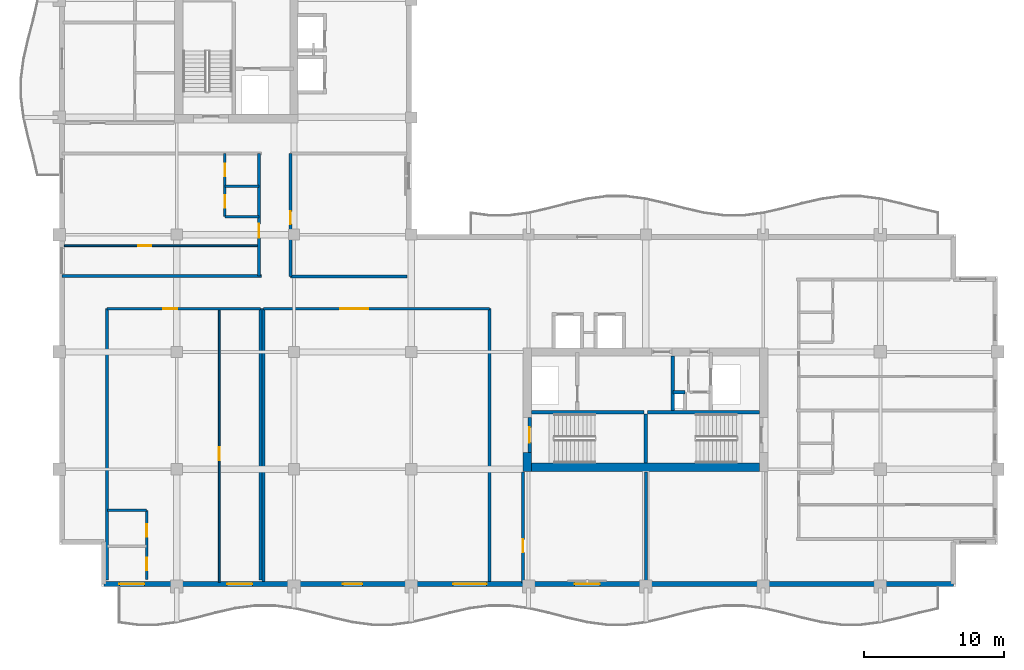
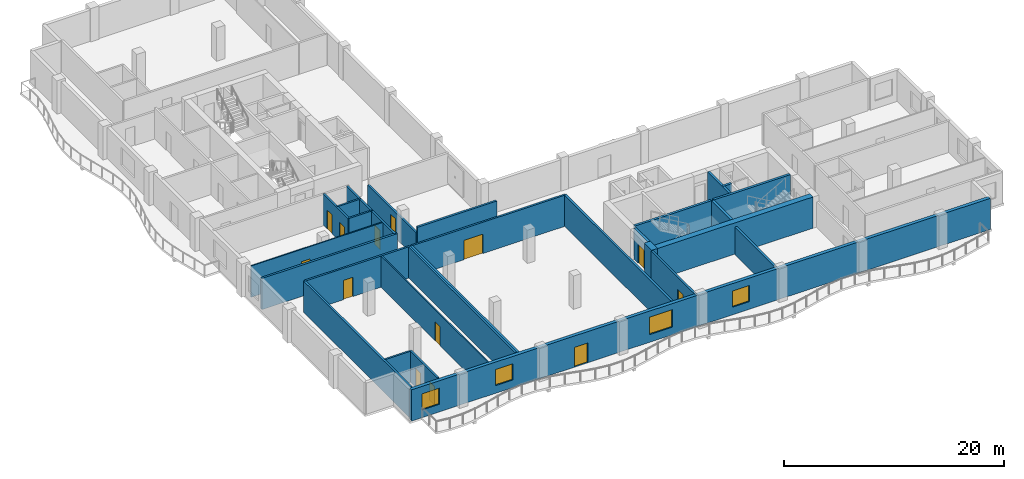
# One storey, part 3 of 12: 28 walls, 13 doors, 4 windows, 17 openings.
"""IFC4 building model written with IfcOpenShell, lengths in metres."""

from ifc_helpers import new_model, si_unit, direction, frame, frame_2d, origin, place, context, subcontext, project, spatial, rectangle, extrude, material, layer, layer_set, type_object, element, fill, save


model = new_model("IFC4")

# Units and contexts
model_context = context("Model", 3, precision=1e-05, world=origin(), true_north=direction((0.0, 1.0)))
body_context = subcontext(model_context, "Body", "Model", "MODEL_VIEW")
ifc_project = project(units=[si_unit("LENGTHUNIT", "METRE"), si_unit("AREAUNIT", "SQUARE_METRE"), si_unit("VOLUMEUNIT", "CUBIC_METRE"), si_unit("PLANEANGLEUNIT", "RADIAN"), si_unit("MASSUNIT", "GRAM", prefix="KILO")], contexts=[model_context])

# Site, building, storey
site_placement = place(None, origin())
site = spatial("IfcSite", under=ifc_project, at=site_placement, CompositionType="ELEMENT")
building_placement = place(site_placement, origin())
building = spatial("IfcBuilding", under=site, at=building_placement, Name="Koriwani Terraces Tower", CompositionType="ELEMENT")
storey_placement = place(building_placement, frame((0.0, 0.0, 271.199951171875)))
storey = spatial("IfcBuildingStorey", under=building, at=storey_placement, Name="L67", CompositionType="ELEMENT", Elevation=271.199951171875)

# Walls
ifc_material_1 = material(Name="Concrete C60/75", Category="concrete")
ifc_layer_1 = layer(ifc_material_1, 0.60009765625, Name="Concrete C60/75")
ifc_layer_set_1 = layer_set([ifc_layer_1], Name="Concrete C60/75")
wall_type_1 = type_object("IfcWallType", Name="WALL_CORE_RC_600", PredefinedType="SHEAR", material=ifc_layer_set_1)
wall_1_placement = place(storey_placement, frame((41.89990234375, 16.64990234375, 0.0), z_axis=(0.0, 0.0, 1.0), x_axis=(0.0, 1.0, 0.0)))
element("IfcWall", 1, at=wall_1_placement, inside=storey, type_object=wall_type_1, Name="L67 East Split Core Shear Wall W1", PredefinedType="SHEAR", context=body_context, shape_type="SweptSolid", body=[
    extrude(rectangle(XDim=1.35009765625, YDim=0.60009765625, at=frame_2d((0.675048828125, 0.0))), origin(), (0.0, 0.0, 1.0), 3.469970703125),
])
wall_2_placement = place(storey_placement, frame((42.199951171875, 16.949951171875, 0.0), z_axis=(0.0, 0.0, 1.0), x_axis=(1.0, 0.0, 0.0)))
element("IfcWall", 2, at=wall_2_placement, inside=storey, type_object=wall_type_1, Name="L67 East Split Core Shear Wall S1", PredefinedType="SHEAR", context=body_context, shape_type="SweptSolid", body=[
    extrude(rectangle(XDim=16.35009765625, YDim=0.60009765625, at=frame_2d((8.175048828125, 0.0))), origin(), (0.0, 0.0, 1.0), 3.469970703125),
])

# Wall, opening, door
ifc_material_2 = material(Name="Autoclaved Cellular Concrete Blockwork", Category="masonry")
ifc_layer_2 = layer(ifc_material_2, 0.199951171875, Name="Autoclaved Cellular Concrete Blockwork")
ifc_layer_set_2 = layer_set([ifc_layer_2], Name="Autoclaved Cellular Concrete Blockwork")
wall_type_2 = type_object("IfcWallType", Name="WALL_CORRIDOR_200", PredefinedType="PARTITIONING", material=ifc_layer_set_2)
wall_3_placement = place(storey_placement, frame((24.949951171875, 30.60009765625, 0.0), z_axis=(0.0, 0.0, 1.0), x_axis=(0.0, 1.0, 0.0)))
wall_3 = element("IfcWall", 3, at=wall_3_placement, inside=storey, type_object=wall_type_2, Name="L67 Interior Wall WIC4W-L67", PredefinedType="PARTITIONING", context=body_context, shape_type="SweptSolid", body=[
    extrude(rectangle(XDim=8.7998046875, YDim=0.199951171875, at=frame_2d((4.39990234375, 0.0))), origin(), (0.0, 0.0, 1.0), 2.820068359375),
])
opening_1_placement = place(wall_3_placement, frame((3.75, 0.0, 0.0)))
opening_1 = element("IfcOpeningElement", 4, at=opening_1_placement, cuts=wall_3, Name="Opening D-06", PredefinedType="OPENING", context=body_context, shape_type="SweptSolid", body=[
    extrude(rectangle(XDim=0.919921875, YDim=2.10009765625, at=frame_2d((0.4599609375, 1.050048828125))), frame((0.0, 0.10986328125, 0.0), z_axis=(0.0, -1.0, 0.0), x_axis=(1.0, 0.0, 0.0)), (0.0, 0.0, 1.0), 0.219970703125),
])
ifc_material_3 = material(Name="Architectural Oak Fire Door", Category="wood")
door_type_1 = type_object("IfcDoorType", Name="DOOR_ROOM_INT_920X2100", OperationType="NOTDEFINED", PredefinedType="DOOR", material=ifc_material_3)
door_1_placement = place(opening_1_placement, origin())
door_1 = element("IfcDoor", 5, at=door_1_placement, inside=storey, type_object=door_type_1, Name="L67 High-Rise Court Study Door", OperationType="SINGLE_SWING_LEFT", OverallHeight=2.10009765625, OverallWidth=0.919921875, PredefinedType="DOOR", context=body_context, shape_type="SweptSolid", body=[
    extrude(rectangle(XDim=0.919921875, YDim=2.10009765625, at=frame_2d((0.4599609375, 1.050048828125))), frame((0.0, 0.02490234375, 0.0), z_axis=(0.0, -1.0, 0.0), x_axis=(1.0, 0.0, 0.0)), (0.0, 0.0, 1.0), 0.050048828125),
])
fill(opening_1, door_1)

wall_4_placement = place(storey_placement, frame((41.60009765625, 8.64990234375, 0.0), z_axis=(0.0, 0.0, 1.0), x_axis=(0.0, 1.0, 0.0)))
wall_4 = element("IfcWall", 6, at=wall_4_placement, inside=storey, type_object=wall_type_2, Name="L67 Interior Wall WRZ4-EW-L67", PredefinedType="PARTITIONING", context=body_context, shape_type="SweptSolid", body=[
    extrude(rectangle(XDim=7.9501953125, YDim=0.199951171875, at=frame_2d((3.97509765625, 0.0))), origin(), (0.0, 0.0, 1.0), 3.469970703125),
])
opening_2_placement = place(wall_4_placement, frame((2.199951171875, 0.0, 0.0)))
opening_2 = element("IfcOpeningElement", 7, at=opening_2_placement, cuts=wall_4, Name="Opening D-06", PredefinedType="OPENING", context=body_context, shape_type="SweptSolid", body=[
    extrude(rectangle(XDim=0.919921875, YDim=2.10009765625, at=frame_2d((0.4599609375, 1.050048828125))), frame((0.0, 0.10986328125, 0.0), z_axis=(0.0, -1.0, 0.0), x_axis=(1.0, 0.0, 0.0)), (0.0, 0.0, 1.0), 0.219970703125),
])
door_2_placement = place(opening_2_placement, origin())
door_2 = element("IfcDoor", 8, at=door_2_placement, inside=storey, type_object=door_type_1, Name="L67 Resident Library Study Door", OperationType="SINGLE_SWING_RIGHT", OverallHeight=2.10009765625, OverallWidth=0.919921875, PredefinedType="DOOR", context=body_context, shape_type="SweptSolid", body=[
    extrude(rectangle(XDim=0.919921875, YDim=2.10009765625, at=frame_2d((0.4599609375, 1.050048828125))), frame((0.0, 0.02490234375, 0.0), z_axis=(0.0, -1.0, 0.0), x_axis=(1.0, 0.0, 0.0)), (0.0, 0.0, 1.0), 0.050048828125),
])
fill(opening_2, door_2)

wall_5_placement = place(storey_placement, frame((11.800048828125, 28.300048828125, 0.0), z_axis=(0.0, 0.0, 1.0), x_axis=(1.0, 0.0, 0.0)))
wall_5 = element("IfcWall", 9, at=wall_5_placement, inside=storey, type_object=wall_type_2, Name="L67 Interior Wall WGB-L67-SPINE-N", PredefinedType="PARTITIONING", context=body_context, shape_type="SweptSolid", body=[
    extrude(rectangle(XDim=11.0, YDim=0.199951171875, at=frame_2d((5.5, 0.0))), origin(), (0.0, 0.0, 1.0), 3.469970703125),
])
opening_3_placement = place(wall_5_placement, frame((4.050048828125, 0.0, 0.0)))
opening_3 = element("IfcOpeningElement", 10, at=opening_3_placement, cuts=wall_5, Name="Opening D-05", PredefinedType="OPENING", context=body_context, shape_type="SweptSolid", body=[
    extrude(rectangle(XDim=1.0, YDim=2.14990234375, at=frame_2d((0.5, 1.074951171875))), frame((0.0, 0.10986328125, 0.0), z_axis=(0.0, -1.0, 0.0), x_axis=(1.0, 0.0, 0.0)), (0.0, 0.0, 1.0), 0.219970703125),
])
door_type_2 = type_object("IfcDoorType", Name="DOOR_SUITE_ENTRY_1000X2150", OperationType="NOTDEFINED", PredefinedType="DOOR", material=ifc_material_3)
door_3_placement = place(opening_3_placement, origin())
door_3 = element("IfcDoor", 11, at=door_3_placement, inside=storey, type_object=door_type_2, Name="Corner Residence 67SP Entrance Door", OperationType="SINGLE_SWING_RIGHT", OverallHeight=2.14990234375, OverallWidth=1.0, PredefinedType="DOOR", context=body_context, shape_type="SweptSolid", body=[
    extrude(rectangle(XDim=1.0, YDim=2.14990234375, at=frame_2d((0.5, 1.074951171875))), frame((0.0, 0.02490234375, 0.0), z_axis=(0.0, -1.0, 0.0), x_axis=(1.0, 0.0, 0.0)), (0.0, 0.0, 1.0), 0.050048828125),
])
fill(opening_3, door_3)

wall_6_placement = place(storey_placement, frame((23.0, 28.300048828125, 0.0), z_axis=(0.0, 0.0, 1.0), x_axis=(1.0, 0.0, 0.0)))
wall_6 = element("IfcWall", 12, at=wall_6_placement, inside=storey, type_object=wall_type_2, Name="L67 Interior Wall WSPCLB-N-L67", PredefinedType="PARTITIONING", context=body_context, shape_type="SweptSolid", body=[
    extrude(rectangle(XDim=16.199951171875, YDim=0.199951171875, at=frame_2d((8.10009765625, 0.0))), origin(), (0.0, 0.0, 1.0), 3.469970703125),
])
opening_4_placement = place(wall_6_placement, frame((5.5, 0.0, 0.0)))
opening_4 = element("IfcOpeningElement", 13, at=opening_4_placement, cuts=wall_6, Name="Opening D-02", PredefinedType="OPENING", context=body_context, shape_type="SweptSolid", body=[
    extrude(rectangle(XDim=2.0, YDim=2.14990234375, at=frame_2d((1.0, 1.074951171875))), frame((0.0, 0.10986328125, 0.0), z_axis=(0.0, -1.0, 0.0), x_axis=(1.0, 0.0, 0.0)), (0.0, 0.0, 1.0), 0.219970703125),
])
ifc_material_4 = material(Name="Anodised Bronze Aluminium", Category="aluminium")
door_type_3 = type_object("IfcDoorType", Name="DOOR_ENTRANCE_DOUBLE_2000X2400", OperationType="NOTDEFINED", PredefinedType="DOOR", material=ifc_material_4)
door_4_placement = place(opening_4_placement, origin())
door_4 = element("IfcDoor", 14, at=door_4_placement, inside=storey, type_object=door_type_3, Name="L67 Sky Screening Salon Door", OperationType="SINGLE_SWING_RIGHT", OverallHeight=2.14990234375, OverallWidth=2.0, PredefinedType="DOOR", context=body_context, shape_type="SweptSolid", body=[
    extrude(rectangle(XDim=2.0, YDim=2.14990234375, at=frame_2d((1.0, 1.074951171875))), frame((0.0, 0.02490234375, 0.0), z_axis=(0.0, -1.0, 0.0), x_axis=(1.0, 0.0, 0.0)), (0.0, 0.0, 1.0), 0.050048828125),
])
fill(opening_4, door_4)

wall_7_placement = place(storey_placement, frame((22.699951171875, 30.64990234375, 0.0), z_axis=(0.0, 0.0, 1.0), x_axis=(0.0, 1.0, 0.0)))
wall_7 = element("IfcWall", 15, at=wall_7_placement, inside=storey, type_object=wall_type_2, Name="L67 Interior Wall WRCOR-L67-NE-0", PredefinedType="PARTITIONING", context=body_context, shape_type="SweptSolid", body=[
    extrude(rectangle(XDim=8.75, YDim=0.199951171875, at=frame_2d((4.375, 0.0))), origin(), (0.0, 0.0, 1.0), 3.469970703125),
])
opening_5_placement = place(wall_7_placement, frame((2.719970703125, 0.0, 0.0)))
opening_5 = element("IfcOpeningElement", 16, at=opening_5_placement, cuts=wall_7, Name="Opening D-05", PredefinedType="OPENING", context=body_context, shape_type="SweptSolid", body=[
    extrude(rectangle(XDim=1.0, YDim=2.14990234375, at=frame_2d((0.5, 1.074951171875))), frame((0.0, 0.10986328125, 0.0), z_axis=(0.0, -1.0, 0.0), x_axis=(1.0, 0.0, 0.0)), (0.0, 0.0, 1.0), 0.219970703125),
])
door_5_placement = place(opening_5_placement, origin())
door_5 = element("IfcDoor", 17, at=door_5_placement, inside=storey, type_object=door_type_2, Name="Apartment 67NE1 Entrance Door", OperationType="SINGLE_SWING_LEFT", OverallHeight=2.14990234375, OverallWidth=1.0, PredefinedType="DOOR", context=body_context, shape_type="SweptSolid", body=[
    extrude(rectangle(XDim=1.0, YDim=2.14990234375, at=frame_2d((0.5, 1.074951171875))), frame((0.0, 0.02490234375, 0.0), z_axis=(0.0, -1.0, 0.0), x_axis=(1.0, 0.0, 0.0)), (0.0, 0.0, 1.0), 0.050048828125),
])
fill(opening_5, door_5)

# Walls
ifc_layer_3 = layer(ifc_material_2, 0.219970703125, Name="Autoclaved Cellular Concrete Blockwork")
ifc_layer_set_3 = layer_set([ifc_layer_3], Name="Autoclaved Cellular Concrete Blockwork")
wall_type_3 = type_object("IfcWallType", Name="WALL_DEMISING_220", PredefinedType="PARTITIONING", material=ifc_layer_set_3)
wall_8_placement = place(storey_placement, frame((24.949951171875, 30.60009765625, 0.0), z_axis=(0.0, 0.0, 1.0), x_axis=(1.0, 0.0, 0.0)))
element("IfcWall", 18, at=wall_8_placement, inside=storey, type_object=wall_type_3, Name="L67 Interior Wall WIC4WS-L67", PredefinedType="PARTITIONING", context=body_context, shape_type="SweptSolid", body=[
    extrude(rectangle(XDim=8.35009765625, YDim=0.219970703125, at=frame_2d((4.175048828125, 0.0))), origin(), (0.0, 0.0, 1.0), 3.469970703125),
])
wall_9_placement = place(storey_placement, frame((50.39990234375, 8.64990234375, 0.0), z_axis=(0.0, 0.0, 1.0), x_axis=(0.0, 1.0, 0.0)))
element("IfcWall", 19, at=wall_9_placement, inside=storey, type_object=wall_type_3, Name="L67 Interior Wall WRZ4-EM-L67", PredefinedType="PARTITIONING", context=body_context, shape_type="SweptSolid", body=[
    extrude(rectangle(XDim=7.9501953125, YDim=0.219970703125, at=frame_2d((3.97509765625, 0.0))), origin(), (0.0, 0.0, 1.0), 3.052978515625),
])
for number, where, z_axis, x_axis, name in (
    (20, (22.800048828125, 8.85009765625, 0.0), (0.0, 0.0, 1.0), (0.0, 1.0, 0.0), "L67 Interior Wall WGB-L67-SPINE-E"),
    (21, (11.800048828125, 8.85009765625, 0.0), (0.0, 0.0, 1.0), (0.0, 1.0, 0.0), "L67 Interior Wall WGB-L67-SPINE-W"),
):
    element("IfcWall", number, at=place(storey_placement, frame(where, z_axis=z_axis, x_axis=x_axis)), inside=storey, type_object=wall_type_3, Name=name, PredefinedType="PARTITIONING", context=body_context, shape_type="SweptSolid", body=[
        extrude(rectangle(XDim=19.449951171875, YDim=0.219970703125, at=frame_2d((9.72509765625, 0.0))), origin(), (0.0, 0.0, 1.0), 3.469970703125),
    ])
for number, where, z_axis, x_axis, name in (
    (22, (23.0, 8.75, 0.0), (0.0, 0.0, 1.0), (0.0, 1.0, 0.0), "L67 Interior Wall WSPCLB-W-L67"),
    (23, (39.199951171875, 8.75, 0.0), (0.0, 0.0, 1.0), (0.0, 1.0, 0.0), "L67 Interior Wall WSPCLB-E-L67"),
):
    element("IfcWall", number, at=place(storey_placement, frame(where, z_axis=z_axis, x_axis=x_axis)), inside=storey, type_object=wall_type_3, Name=name, PredefinedType="PARTITIONING", context=body_context, shape_type="SweptSolid", body=[
        extrude(rectangle(XDim=19.550048828125, YDim=0.219970703125, at=frame_2d((9.77490234375, 0.0))), origin(), (0.0, 0.0, 1.0), 3.469970703125),
    ])
wall_10_placement = place(storey_placement, frame((8.60009765625, 30.64990234375, 0.0), z_axis=(0.0, 0.0, 1.0), x_axis=(1.0, 0.0, 0.0)))
element("IfcWall", 24, at=wall_10_placement, inside=storey, type_object=wall_type_3, Name="L67 Interior Wall WRDEM-L67-NE-0", PredefinedType="PARTITIONING", context=body_context, shape_type="SweptSolid", body=[
    extrude(rectangle(XDim=14.27978515625, YDim=0.219970703125, at=frame_2d((7.139892578125, 0.0))), origin(), (0.0, 0.0, 1.0), 3.469970703125),
])

# Wall, openings, door, windows
ifc_material_5 = material(Name="Concrete C50/60", Category="concrete")
ifc_layer_4 = layer(ifc_material_5, 0.35009765625, Name="Concrete C50/60")
ifc_layer_set_4 = layer_set([ifc_layer_4], Name="Concrete C50/60")
wall_type_4 = type_object("IfcWallType", Name="WALL_EXT_BRUTALIST_350", PredefinedType="STANDARD", material=ifc_layer_set_4)
wall_11_placement = place(storey_placement, frame((72.425048828125, 8.574951171875, 0.0), z_axis=(0.0, 0.0, 1.0), x_axis=(-1.0, 0.0, 0.0)))
wall_11 = element("IfcWall", 25, at=wall_11_placement, inside=storey, type_object=wall_type_4, Name="L67 Fair-Faced Brutalist Exterior Wall (S)", PredefinedType="STANDARD", context=body_context, shape_type="SweptSolid", body=[
    extrude(rectangle(XDim=60.85009765625, YDim=0.35009765625, at=frame_2d((30.425048828125, 0.0))), origin(), (0.0, 0.0, 1.0), 3.469970703125),
])
opening_6_placement = place(wall_11_placement, frame((42.324951171875, 0.0, 0.0)))
opening_6 = element("IfcOpeningElement", 26, at=opening_6_placement, cuts=wall_11, Name="Opening D-09", PredefinedType="OPENING", context=body_context, shape_type="SweptSolid", body=[
    extrude(rectangle(XDim=1.39990234375, YDim=2.199951171875, at=frame_2d((0.699951171875, 1.10009765625))), frame((0.0, 0.18505859375, 0.0), z_axis=(0.0, -1.0, 0.0), x_axis=(1.0, 0.0, 0.0)), (0.0, 0.0, 1.0), 0.3701171875),
])
opening_7_placement = place(wall_11_placement, frame((33.425048828125, 0.0, 0.85009765625)))
opening_7 = element("IfcOpeningElement", 27, at=opening_7_placement, cuts=wall_11, Name="Opening W-03", PredefinedType="OPENING", context=body_context, shape_type="SweptSolid", body=[
    extrude(rectangle(XDim=2.39990234375, YDim=1.949951171875, at=frame_2d((1.199951171875, 0.97509765625))), frame((0.0, 0.18505859375, 0.0), z_axis=(0.0, -1.0, 0.0), x_axis=(1.0, 0.0, 0.0)), (0.0, 0.0, 1.0), 0.3701171875),
])
opening_8_placement = place(wall_11_placement, frame((25.324951171875, 0.0, 0.85009765625)))
opening_8 = element("IfcOpeningElement", 28, at=opening_8_placement, cuts=wall_11, Name="Opening W-04", PredefinedType="OPENING", context=body_context, shape_type="SweptSolid", body=[
    extrude(rectangle(XDim=1.800048828125, YDim=1.800048828125, at=frame_2d((0.89990234375, 0.89990234375))), frame((0.0, 0.18505859375, 0.0), z_axis=(0.0, -1.0, 0.0), x_axis=(1.0, 0.0, 0.0)), (0.0, 0.0, 1.0), 0.3701171875),
])
opening_9_placement = place(wall_11_placement, frame((50.215087890625, 0.0, 0.85009765625)))
opening_9 = element("IfcOpeningElement", 29, at=opening_9_placement, cuts=wall_11, Name="Opening W-04", PredefinedType="OPENING", context=body_context, shape_type="SweptSolid", body=[
    extrude(rectangle(XDim=1.800048828125, YDim=1.800048828125, at=frame_2d((0.89990234375, 0.89990234375))), frame((0.0, 0.18505859375, 0.0), z_axis=(0.0, -1.0, 0.0), x_axis=(1.0, 0.0, 0.0)), (0.0, 0.0, 1.0), 0.3701171875),
])
opening_10_placement = place(wall_11_placement, frame((57.93505859375, 0.0, 0.85009765625)))
opening_10 = element("IfcOpeningElement", 30, at=opening_10_placement, cuts=wall_11, Name="Opening W-04", PredefinedType="OPENING", context=body_context, shape_type="SweptSolid", body=[
    extrude(rectangle(XDim=1.800048828125, YDim=1.800048828125, at=frame_2d((0.89990234375, 0.89990234375))), frame((0.0, 0.18505859375, 0.0), z_axis=(0.0, -1.0, 0.0), x_axis=(1.0, 0.0, 0.0)), (0.0, 0.0, 1.0), 0.3701171875),
])
door_type_4 = type_object("IfcDoorType", Name="DOOR_BALCONY_GLAZED_1400X2200", OperationType="NOTDEFINED", PredefinedType="DOOR", material=ifc_material_4)
door_6_placement = place(opening_6_placement, origin())
door_6 = element("IfcDoor", 31, at=door_6_placement, inside=storey, type_object=door_type_4, Name="L67 South Balcony Glazed Door", OperationType="SINGLE_SWING_LEFT", OverallHeight=2.199951171875, OverallWidth=1.39990234375, PredefinedType="DOOR", context=body_context, shape_type="SweptSolid", body=[
    extrude(rectangle(XDim=1.39990234375, YDim=2.199951171875, at=frame_2d((0.699951171875, 1.10009765625))), frame((0.0, 0.02490234375, 0.0), z_axis=(0.0, -1.0, 0.0), x_axis=(1.0, 0.0, 0.0)), (0.0, 0.0, 1.0), 0.050048828125),
])
fill(opening_6, door_6)
ifc_material_6 = material(Name="Tempered Laminated Low-E Glass", Category="glass")
window_type_1 = type_object("IfcWindowType", Name="WIN_RES_BED_1800X1800", PartitioningType="DOUBLE_PANEL_VERTICAL", PredefinedType="WINDOW", material=ifc_material_6)
window_1_placement = place(opening_8_placement, origin())
window_1 = element("IfcWindow", 32, at=window_1_placement, inside=storey, type_object=window_type_1, Name="L67 Exterior Window (S-12)", OverallHeight=1.800048828125, OverallWidth=1.800048828125, PartitioningType="SINGLE_PANEL", PredefinedType="WINDOW", context=body_context, shape_type="SweptSolid", body=[
    extrude(rectangle(XDim=1.800048828125, YDim=1.800048828125, at=frame_2d((0.89990234375, 0.89990234375))), frame((0.0, 0.030029296875, 0.0), z_axis=(0.0, -1.0, 0.0), x_axis=(1.0, 0.0, 0.0)), (0.0, 0.0, 1.0), 0.06005859375),
])
fill(opening_8, window_1)
window_2_placement = place(opening_9_placement, origin())
window_2 = element("IfcWindow", 33, at=window_2_placement, inside=storey, type_object=window_type_1, Name="L67 Exterior Window (S-R34)", OverallHeight=1.800048828125, OverallWidth=1.800048828125, PartitioningType="SINGLE_PANEL", PredefinedType="WINDOW", context=body_context, shape_type="SweptSolid", body=[
    extrude(rectangle(XDim=1.800048828125, YDim=1.800048828125, at=frame_2d((0.89990234375, 0.89990234375))), frame((0.0, 0.030029296875, 0.0), z_axis=(0.0, -1.0, 0.0), x_axis=(1.0, 0.0, 0.0)), (0.0, 0.0, 1.0), 0.06005859375),
])
fill(opening_9, window_2)
window_3_placement = place(opening_10_placement, origin())
window_3 = element("IfcWindow", 34, at=window_3_placement, inside=storey, type_object=window_type_1, Name="L67 Exterior Window (S-R35)", OverallHeight=1.800048828125, OverallWidth=1.800048828125, PartitioningType="SINGLE_PANEL", PredefinedType="WINDOW", context=body_context, shape_type="SweptSolid", body=[
    extrude(rectangle(XDim=1.800048828125, YDim=1.800048828125, at=frame_2d((0.89990234375, 0.89990234375))), frame((0.0, 0.030029296875, 0.0), z_axis=(0.0, -1.0, 0.0), x_axis=(1.0, 0.0, 0.0)), (0.0, 0.0, 1.0), 0.06005859375),
])
fill(opening_10, window_3)
window_type_2 = type_object("IfcWindowType", Name="WIN_RES_LIVING_2400X1950", PartitioningType="DOUBLE_PANEL_VERTICAL", PredefinedType="WINDOW", material=ifc_material_6)
window_4_placement = place(opening_7_placement, origin())
window_4 = element("IfcWindow", 35, at=window_4_placement, inside=storey, type_object=window_type_2, Name="L67 Exterior Window (S-9)", OverallHeight=1.949951171875, OverallWidth=2.39990234375, PartitioningType="SINGLE_PANEL", PredefinedType="WINDOW", context=body_context, shape_type="SweptSolid", body=[
    extrude(rectangle(XDim=2.39990234375, YDim=1.949951171875, at=frame_2d((1.199951171875, 0.97509765625))), frame((0.0, 0.030029296875, 0.0), z_axis=(0.0, -1.0, 0.0), x_axis=(1.0, 0.0, 0.0)), (0.0, 0.0, 1.0), 0.06005859375),
])
fill(opening_7, window_4)

# Wall, opening, door
ifc_material_7 = material(Name="Fire-Rated Acoustic Gypsum Partition", Category="masonry")
ifc_layer_5 = layer(ifc_material_7, 0.125, Name="Fire-Rated Acoustic Gypsum Partition")
ifc_layer_set_5 = layer_set([ifc_layer_5], Name="Fire-Rated Acoustic Gypsum Partition")
wall_type_5 = type_object("IfcWallType", Name="WALL_INT_125", PredefinedType="PARTITIONING", material=ifc_layer_set_5)
wall_12_placement = place(storey_placement, frame((19.85009765625, 8.699951171875, 0.0), z_axis=(0.0, 0.0, 1.0), x_axis=(0.0, 1.0, 0.0)))
wall_12 = element("IfcWall", 36, at=wall_12_placement, inside=storey, type_object=wall_type_5, Name="L67 Interior Wall WGB-L67-SPINE-BD", PredefinedType="PARTITIONING", context=body_context, shape_type="SweptSolid", body=[
    extrude(rectangle(XDim=19.650146484375, YDim=0.125, at=frame_2d((9.8251953125, 0.0))), origin(), (0.0, 0.0, 1.0), 3.469970703125),
])
opening_11_placement = place(wall_12_placement, frame((8.751953125, 0.0, 0.0)))
opening_11 = element("IfcOpeningElement", 37, at=opening_11_placement, cuts=wall_12, Name="Opening D-06", PredefinedType="OPENING", context=body_context, shape_type="SweptSolid", body=[
    extrude(rectangle(XDim=0.919921875, YDim=2.10009765625, at=frame_2d((0.4599609375, 1.050048828125))), frame((0.0, 0.072509765625, 0.0), z_axis=(0.0, -1.0, 0.0), x_axis=(1.0, 0.0, 0.0)), (0.0, 0.0, 1.0), 0.14501953125),
])
door_7_placement = place(opening_11_placement, origin())
door_7 = element("IfcDoor", 38, at=door_7_placement, inside=storey, type_object=door_type_1, Name="Corner Residence 67SP Master Suite Door", OperationType="SINGLE_SWING_LEFT", OverallHeight=2.10009765625, OverallWidth=0.919921875, PredefinedType="DOOR", context=body_context, shape_type="SweptSolid", body=[
    extrude(rectangle(XDim=0.919921875, YDim=2.10009765625, at=frame_2d((0.4599609375, 1.050048828125))), frame((0.0, 0.02490234375, 0.0), z_axis=(0.0, -1.0, 0.0), x_axis=(1.0, 0.0, 0.0)), (0.0, 0.0, 1.0), 0.050048828125),
])
fill(opening_11, door_7)

wall_13_placement = place(storey_placement, frame((8.75, 32.800048828125, 0.0), z_axis=(0.0, 0.0, 1.0), x_axis=(1.0, 0.0, 0.0)))
wall_13 = element("IfcWall", 39, at=wall_13_placement, inside=storey, type_object=wall_type_5, Name="L67 Interior Wall WRBED1-L67-NE-0", PredefinedType="PARTITIONING", context=body_context, shape_type="SweptSolid", body=[
    extrude(rectangle(XDim=13.949951171875, YDim=0.125, at=frame_2d((6.97509765625, 0.0))), origin(), (0.0, 0.0, 1.0), 3.469970703125),
])
opening_12_placement = place(wall_13_placement, frame((5.2900390625, 0.0, 0.0)))
opening_12 = element("IfcOpeningElement", 40, at=opening_12_placement, cuts=wall_13, Name="Opening D-06", PredefinedType="OPENING", context=body_context, shape_type="SweptSolid", body=[
    extrude(rectangle(XDim=0.919921875, YDim=2.10009765625, at=frame_2d((0.4599609375, 1.050048828125))), frame((0.0, 0.072509765625, 0.0), z_axis=(0.0, -1.0, 0.0), x_axis=(1.0, 0.0, 0.0)), (0.0, 0.0, 1.0), 0.14501953125),
])
door_8_placement = place(opening_12_placement, origin())
door_8 = element("IfcDoor", 41, at=door_8_placement, inside=storey, type_object=door_type_1, Name="Apartment 67NE1 Master Bedroom Door", OperationType="SINGLE_SWING_RIGHT", OverallHeight=2.10009765625, OverallWidth=0.919921875, PredefinedType="DOOR", context=body_context, shape_type="SweptSolid", body=[
    extrude(rectangle(XDim=0.919921875, YDim=2.10009765625, at=frame_2d((0.4599609375, 1.050048828125))), frame((0.0, 0.02490234375, 0.0), z_axis=(0.0, -1.0, 0.0), x_axis=(1.0, 0.0, 0.0)), (0.0, 0.0, 1.0), 0.050048828125),
])
fill(opening_12, door_8)

# Wall, openings, doors
ifc_layer_6 = layer(ifc_material_7, 0.179931640625, Name="Fire-Rated Acoustic Gypsum Partition")
ifc_layer_set_6 = layer_set([ifc_layer_6], Name="Fire-Rated Acoustic Gypsum Partition")
wall_type_6 = type_object("IfcWallType", Name="WALL_PLUMBING_180", PredefinedType="PLUMBINGWALL", material=ifc_layer_set_6)
wall_14_placement = place(storey_placement, frame((14.64990234375, 8.89990234375, 0.0), z_axis=(0.0, 0.0, 1.0), x_axis=(0.0, 1.0, 0.0)))
wall_14 = element("IfcWall", 42, at=wall_14_placement, inside=storey, type_object=wall_type_6, Name="L67 Interior Wall WGB-L67-SPINE-SVB", PredefinedType="PLUMBINGWALL", context=body_context, shape_type="SweptSolid", body=[
    extrude(rectangle(XDim=4.9501953125, YDim=0.179931640625, at=frame_2d((2.47509765625, 0.0))), origin(), (0.0, 0.0, 1.0), 3.469970703125),
])
opening_13_placement = place(wall_14_placement, frame((0.64990234375, 0.0, 0.0)))
opening_13 = element("IfcOpeningElement", 43, at=opening_13_placement, cuts=wall_14, Name="Opening D-07", PredefinedType="OPENING", context=body_context, shape_type="SweptSolid", body=[
    extrude(rectangle(XDim=0.89990234375, YDim=2.10009765625, at=frame_2d((0.449951171875, 1.050048828125))), frame((0.0, 0.10009765625, 0.0), z_axis=(0.0, -1.0, 0.0), x_axis=(1.0, 0.0, 0.0)), (0.0, 0.0, 1.0), 0.199951171875),
])
opening_14_placement = place(wall_14_placement, frame((3.050048828125, 0.0, 0.0)))
opening_14 = element("IfcOpeningElement", 44, at=opening_14_placement, cuts=wall_14, Name="Opening D-06", PredefinedType="OPENING", context=body_context, shape_type="SweptSolid", body=[
    extrude(rectangle(XDim=0.919921875, YDim=2.10009765625, at=frame_2d((0.4599609375, 1.050048828125))), frame((0.0, 0.10009765625, 0.0), z_axis=(0.0, -1.0, 0.0), x_axis=(1.0, 0.0, 0.0)), (0.0, 0.0, 1.0), 0.199951171875),
])
door_type_5 = type_object("IfcDoorType", Name="DOOR_BATH_INT_900X2100", OperationType="NOTDEFINED", PredefinedType="DOOR", material=ifc_material_3)
door_9_placement = place(opening_13_placement, origin())
door_9 = element("IfcDoor", 45, at=door_9_placement, inside=storey, type_object=door_type_5, Name="Corner Residence 67SP Bathroom Door", OperationType="SINGLE_SWING_LEFT", OverallHeight=2.10009765625, OverallWidth=0.89990234375, PredefinedType="DOOR", context=body_context, shape_type="SweptSolid", body=[
    extrude(rectangle(XDim=0.89990234375, YDim=2.10009765625, at=frame_2d((0.449951171875, 1.050048828125))), frame((0.0, 0.02490234375, 0.0), z_axis=(0.0, -1.0, 0.0), x_axis=(1.0, 0.0, 0.0)), (0.0, 0.0, 1.0), 0.050048828125),
])
fill(opening_13, door_9)
door_10_placement = place(opening_14_placement, origin())
door_10 = element("IfcDoor", 46, at=door_10_placement, inside=storey, type_object=door_type_1, Name="Corner Residence 67SP Kitchen Door", OperationType="SINGLE_SWING_RIGHT", OverallHeight=2.10009765625, OverallWidth=0.919921875, PredefinedType="DOOR", context=body_context, shape_type="SweptSolid", body=[
    extrude(rectangle(XDim=0.919921875, YDim=2.10009765625, at=frame_2d((0.4599609375, 1.050048828125))), frame((0.0, 0.02490234375, 0.0), z_axis=(0.0, -1.0, 0.0), x_axis=(1.0, 0.0, 0.0)), (0.0, 0.0, 1.0), 0.050048828125),
])
fill(opening_14, door_10)

# Wall
wall_15_placement = place(storey_placement, frame((11.85009765625, 13.85009765625, 0.0), z_axis=(0.0, 0.0, 1.0), x_axis=(1.0, 0.0, 0.0)))
element("IfcWall", 47, at=wall_15_placement, inside=storey, type_object=wall_type_6, Name="L67 Interior Wall WGB-L67-SPINE-SV2", PredefinedType="PLUMBINGWALL", context=body_context, shape_type="SweptSolid", body=[
    extrude(rectangle(XDim=2.7998046875, YDim=0.179931640625, at=frame_2d((1.39990234375, 0.0))), origin(), (0.0, 0.0, 1.0), 3.469970703125),
])

# Wall, openings, doors
wall_16_placement = place(storey_placement, frame((20.25, 34.89990234375, 0.0), z_axis=(0.0, 0.0, 1.0), x_axis=(0.0, 1.0, 0.0)))
wall_16 = element("IfcWall", 48, at=wall_16_placement, inside=storey, type_object=wall_type_6, Name="L67 Interior Wall WRSVC-L67-NE-0", PredefinedType="PLUMBINGWALL", context=body_context, shape_type="SweptSolid", body=[
    extrude(rectangle(XDim=4.5, YDim=0.179931640625, at=frame_2d((2.25, 0.0))), origin(), (0.0, 0.0, 1.0), 3.469970703125),
])
opening_15_placement = place(wall_16_placement, frame((0.6298828125, 0.0, 0.0)))
opening_15 = element("IfcOpeningElement", 49, at=opening_15_placement, cuts=wall_16, Name="Opening D-07", PredefinedType="OPENING", context=body_context, shape_type="SweptSolid", body=[
    extrude(rectangle(XDim=0.89990234375, YDim=2.10009765625, at=frame_2d((0.449951171875, 1.050048828125))), frame((0.0, 0.10009765625, 0.0), z_axis=(0.0, -1.0, 0.0), x_axis=(1.0, 0.0, 0.0)), (0.0, 0.0, 1.0), 0.199951171875),
])
opening_16_placement = place(wall_16_placement, frame((2.8701171875, 0.0, 0.0)))
opening_16 = element("IfcOpeningElement", 50, at=opening_16_placement, cuts=wall_16, Name="Opening D-06", PredefinedType="OPENING", context=body_context, shape_type="SweptSolid", body=[
    extrude(rectangle(XDim=0.919921875, YDim=2.10009765625, at=frame_2d((0.4599609375, 1.050048828125))), frame((0.0, 0.10009765625, 0.0), z_axis=(0.0, -1.0, 0.0), x_axis=(1.0, 0.0, 0.0)), (0.0, 0.0, 1.0), 0.199951171875),
])
door_11_placement = place(opening_15_placement, origin())
door_11 = element("IfcDoor", 51, at=door_11_placement, inside=storey, type_object=door_type_5, Name="Apartment 67NE1 Bathroom Door", OperationType="SINGLE_SWING_RIGHT", OverallHeight=2.10009765625, OverallWidth=0.89990234375, PredefinedType="DOOR", context=body_context, shape_type="SweptSolid", body=[
    extrude(rectangle(XDim=0.89990234375, YDim=2.10009765625, at=frame_2d((0.449951171875, 1.050048828125))), frame((0.0, 0.02490234375, 0.0), z_axis=(0.0, -1.0, 0.0), x_axis=(1.0, 0.0, 0.0)), (0.0, 0.0, 1.0), 0.050048828125),
])
fill(opening_15, door_11)
door_12_placement = place(opening_16_placement, origin())
door_12 = element("IfcDoor", 52, at=door_12_placement, inside=storey, type_object=door_type_1, Name="Apartment 67NE1 Kitchen Door", OperationType="SINGLE_SWING_LEFT", OverallHeight=2.10009765625, OverallWidth=0.919921875, PredefinedType="DOOR", context=body_context, shape_type="SweptSolid", body=[
    extrude(rectangle(XDim=0.919921875, YDim=2.10009765625, at=frame_2d((0.4599609375, 1.050048828125))), frame((0.0, 0.02490234375, 0.0), z_axis=(0.0, -1.0, 0.0), x_axis=(1.0, 0.0, 0.0)), (0.0, 0.0, 1.0), 0.050048828125),
])
fill(opening_16, door_12)

# Walls
for number, where, z_axis, x_axis, name in (
    (53, (20.25, 34.89990234375, 0.0), (0.0, 0.0, 1.0), (1.0, 0.0, 0.0), "L67 Interior Wall WRSVCS-L67-NE-0"),
    (54, (20.25, 37.06005859375, 0.0), (0.0, 0.0, 1.0), (1.0, 0.0, 0.0), "L67 Interior Wall WRSVCM-L67-NE-0"),
):
    element("IfcWall", number, at=place(storey_placement, frame(where, z_axis=z_axis, x_axis=x_axis)), inside=storey, type_object=wall_type_6, Name=name, PredefinedType="PLUMBINGWALL", context=body_context, shape_type="SweptSolid", body=[
        extrude(rectangle(XDim=2.449951171875, YDim=0.179931640625, at=frame_2d((1.22509765625, 0.0))), origin(), (0.0, 0.0, 1.0), 3.469970703125),
    ])
ifc_material_8 = material(Name="Concrete C40/50", Category="concrete")
ifc_layer_7 = layer(ifc_material_8, 0.25, Name="Concrete C40/50")
ifc_layer_set_7 = layer_set([ifc_layer_7], Name="Concrete C40/50")
wall_type_7 = type_object("IfcWallType", Name="WALL_SHAFT_RATED_250", PredefinedType="SOLIDWALL", material=ifc_layer_set_7)
for number, where, z_axis, x_axis, name in (
    (55, (42.199951171875, 20.875, 0.0), (0.0, 0.0, 1.0), (1.0, 0.0, 0.0), "L67 East Split Core Web Wall MID1"),
    (56, (50.5, 20.875, 0.0), (0.0, 0.0, 1.0), (1.0, 0.0, 0.0), "L67 East Split Core Web Wall MID2"),
):
    element("IfcWall", number, at=place(storey_placement, frame(where, z_axis=z_axis, x_axis=x_axis)), inside=storey, type_object=wall_type_7, Name=name, PredefinedType="SOLIDWALL", context=body_context, shape_type="SweptSolid", body=[
        extrude(rectangle(XDim=8.050048828125, YDim=0.25, at=frame_2d((4.02490234375, 0.0))), origin(), (0.0, 0.0, 1.0), 3.469970703125),
    ])
wall_17_placement = place(storey_placement, frame((50.375, 17.25, 0.0), z_axis=(0.0, 0.0, 1.0), x_axis=(0.0, 1.0, 0.0)))
element("IfcWall", 57, at=wall_17_placement, inside=storey, type_object=wall_type_7, Name="L67 East Split Core Stair Dividing Wall", PredefinedType="SOLIDWALL", context=body_context, shape_type="SweptSolid", body=[
    extrude(rectangle(XDim=3.5, YDim=0.25, at=frame_2d((1.75, 0.0))), origin(), (0.0, 0.0, 1.0), 3.469970703125),
])

# Wall, opening, door
wall_18_placement = place(storey_placement, frame((42.074951171875, 18.0, 0.0), z_axis=(0.0, 0.0, 1.0), x_axis=(0.0, 1.0, 0.0)))
wall_18 = element("IfcWall", 58, at=wall_18_placement, inside=storey, type_object=wall_type_7, Name="L67 Interior Wall WIN-CE-L67-STW", PredefinedType="SOLIDWALL", context=body_context, shape_type="SweptSolid", body=[
    extrude(rectangle(XDim=2.5, YDim=0.25, at=frame_2d((1.25, 0.0))), origin(), (0.0, 0.0, 1.0), 3.469970703125),
])
opening_17_placement = place(wall_18_placement, frame((0.699951171875, 0.0, 0.0)))
opening_17 = element("IfcOpeningElement", 59, at=opening_17_placement, cuts=wall_18, Name="Opening D-03", PredefinedType="OPENING", context=body_context, shape_type="SweptSolid", body=[
    extrude(rectangle(XDim=1.10009765625, YDim=2.14990234375, at=frame_2d((0.550048828125, 1.074951171875))), frame((0.0, 0.135009765625, 0.0), z_axis=(0.0, -1.0, 0.0), x_axis=(1.0, 0.0, 0.0)), (0.0, 0.0, 1.0), 0.27001953125),
])
ifc_material_9 = material(Name="Steel ASTM A572 Grade 50", Category="steel")
door_type_6 = type_object("IfcDoorType", Name="DOOR_STAIR_FIRE_1100X2150", OperationType="NOTDEFINED", PredefinedType="DOOR", material=ifc_material_9)
door_13_placement = place(opening_17_placement, origin())
door_13 = element("IfcDoor", 60, at=door_13_placement, inside=storey, type_object=door_type_6, Name="L67 Exit Stair ST-E1 Door", OperationType="SINGLE_SWING_LEFT", OverallHeight=2.14990234375, OverallWidth=1.10009765625, PredefinedType="DOOR", context=body_context, shape_type="SweptSolid", body=[
    extrude(rectangle(XDim=1.10009765625, YDim=2.14990234375, at=frame_2d((0.550048828125, 1.074951171875))), frame((0.0, 0.02490234375, 0.0), z_axis=(0.0, -1.0, 0.0), x_axis=(1.0, 0.0, 0.0)), (0.0, 0.0, 1.0), 0.050048828125),
])
fill(opening_17, door_13)

# Walls
wall_19_placement = place(storey_placement, frame((52.340087890625, 21.0, 0.0), z_axis=(0.0, 0.0, 1.0), x_axis=(0.0, 1.0, 0.0)))
element("IfcWall", 61, at=wall_19_placement, inside=storey, type_object=wall_type_7, Name="L67 Interior Wall WIN-CE-L67-FFE", PredefinedType="SOLIDWALL", context=body_context, shape_type="SweptSolid", body=[
    extrude(rectangle(XDim=3.89990234375, YDim=0.25, at=frame_2d((1.949951171875, 0.0))), origin(), (0.0, 0.0, 1.0), 3.469970703125),
])
wall_20_placement = place(storey_placement, frame((52.360107421875, 22.300048828125, 0.0), z_axis=(0.0, 0.0, 1.0), x_axis=(1.0, 0.0, 0.0)))
element("IfcWall", 62, at=wall_20_placement, inside=storey, type_object=wall_type_7, Name="L67 Interior Wall WIN-CE-L67-RS2", PredefinedType="SOLIDWALL", context=body_context, shape_type="SweptSolid", body=[
    extrude(rectangle(XDim=0.83984375, YDim=0.25, at=frame_2d((0.419921875, 0.0))), origin(), (0.0, 0.0, 1.0), 3.469970703125),
])

save(model, "model.ifc")
